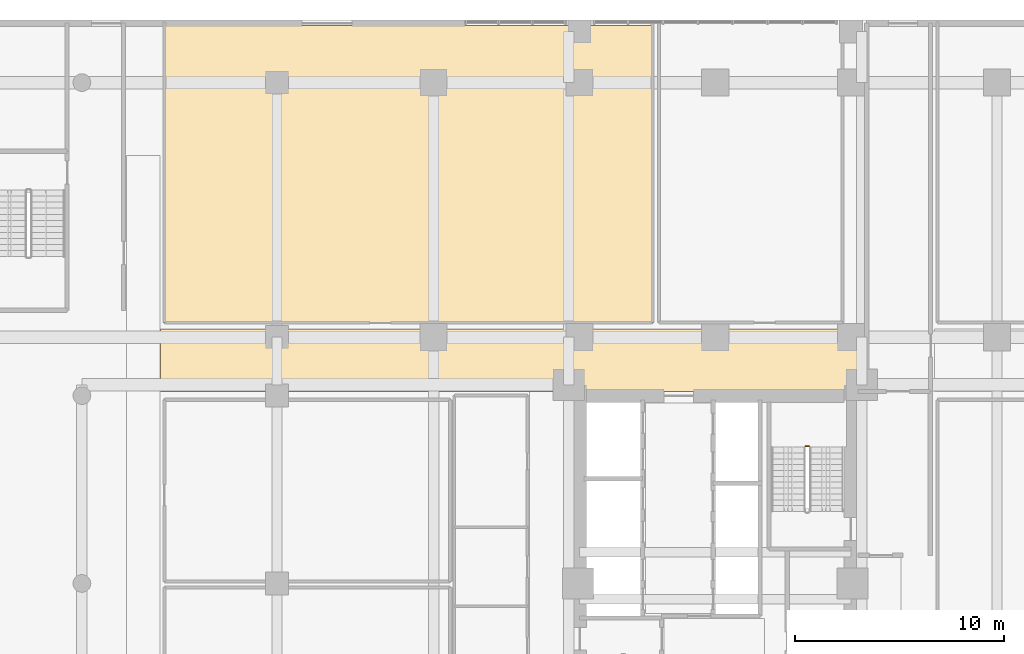
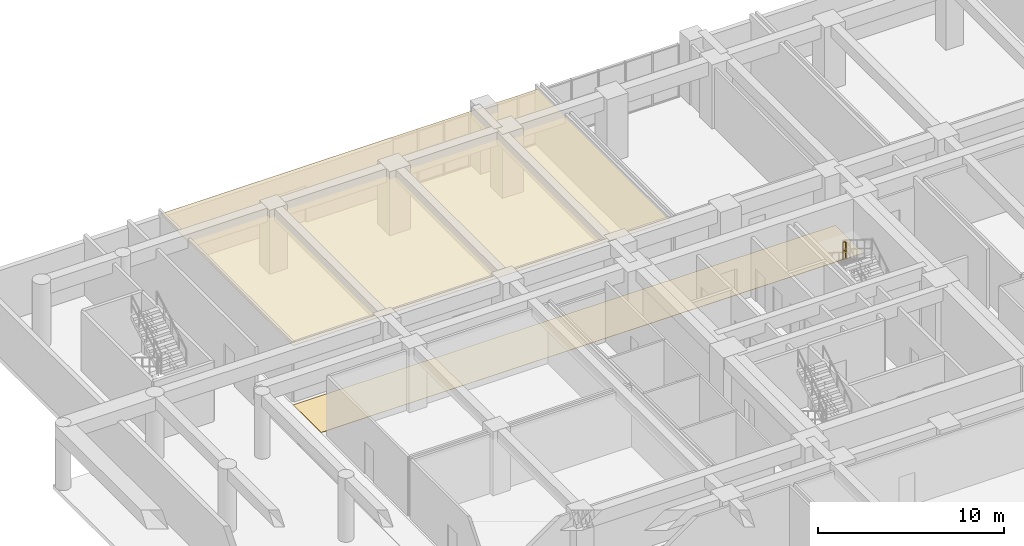
# One storey, part 23 of 24: 2 coverings, 1 railing.
"""IFC4 building model written with IfcOpenShell, lengths in metres."""

from ifc_helpers import new_model, si_unit, direction, frame, origin, origin_2d, place, context, subcontext, project, spatial, polyline, rectangle, outline, extrude, material, layer, layer_set, type_object, element, save


model = new_model("IFC4")

# Units and contexts
model_context = context("Model", 3, precision=1e-05, world=origin(), true_north=direction((0.0, 1.0)))
body_context = subcontext(model_context, "Body", "Model", "MODEL_VIEW")
ifc_project = project(units=[si_unit("LENGTHUNIT", "METRE"), si_unit("AREAUNIT", "SQUARE_METRE"), si_unit("VOLUMEUNIT", "CUBIC_METRE"), si_unit("PLANEANGLEUNIT", "RADIAN"), si_unit("MASSUNIT", "GRAM", prefix="KILO")], contexts=[model_context])

# Site, building, storey
site_placement = place(None, origin())
site = spatial("IfcSite", under=ifc_project, at=site_placement, CompositionType="ELEMENT")
building_placement = place(site_placement, origin())
building = spatial("IfcBuilding", under=site, at=building_placement, Name="Saelheon Loggia Tower", CompositionType="ELEMENT")
storey_placement = place(building_placement, origin())
storey = spatial("IfcBuildingStorey", under=building, at=storey_placement, Name="L00", CompositionType="ELEMENT", Elevation=0.0)

# Coverings
ifc_material_1 = material(Name="Mineral-Fibre Acoustic Ceiling Board", Category="gypsum")
ifc_layer_1 = layer(ifc_material_1, 0.02490234375)
ifc_layer_set_1 = layer_set([ifc_layer_1], Name="Mineral-Fibre Acoustic Ceiling Board")
covering_type_1 = type_object("IfcCoveringType", Name="Cov_Ceiling_Acoustic", PredefinedType="CEILING", material=ifc_layer_set_1)
covering_1_placement = place(storey_placement, frame((0.0, 0.0, 3.6650390625)))
element("IfcCovering", 1, at=covering_1_placement, inside=storey, type_object=covering_type_1, Name="L00 Acoustic Suspended Ceiling", PredefinedType="CEILING", context=body_context, shape_type="SweptSolid", body=[
    extrude(outline(polyline([(11.570068359375, 39.469970703125), (35.030029296875, 39.469970703125), (35.030029296875, 53.72998046875), (11.570068359375, 53.72998046875), (11.570068359375, 39.469970703125)])), origin(), (0.0, 0.0, 1.0), 0.02490234375),
])
ifc_material_2 = material(Name="Vitrified Porcelain Floor Tile", Category="ceramic")
ifc_layer_2 = layer(ifc_material_2, 0.02001953125)
ifc_layer_set_2 = layer_set([ifc_layer_2], Name="Vitrified Porcelain Floor Tile")
covering_type_2 = type_object("IfcCoveringType", Name="Cov_Floor_Porcelain", PredefinedType="FLOORING", material=ifc_layer_set_2)
covering_2_placement = place(storey_placement, origin())
element("IfcCovering", 2, at=covering_2_placement, inside=storey, type_object=covering_type_2, Name="L00 Corridor Porcelain Flooring", PredefinedType="FLOORING", context=body_context, shape_type="SweptSolid", body=[
    extrude(outline(polyline([(11.419921875, 36.199951171875), (45.10009765625, 36.199951171875), (45.10009765625, 39.199951171875), (11.419921875, 39.199951171875), (11.419921875, 36.199951171875)])), origin(), (0.0, 0.0, 1.0), 0.02001953125),
])

# Railing
ifc_material_3 = material(Name="Galvanised Steel S275 Stairwell Guardrail", Category="steel")
railing_type = type_object("IfcRailingType", Name="Guard_StairWell_RL_STG", PredefinedType="GUARDRAIL", material=ifc_material_3)
railing_placement = place(storey_placement, frame((42.489990234375, 33.580078125, 2.10009765625)))
element("IfcRailing", 3, at=railing_placement, inside=storey, type_object=railing_type, Name="L00 ST2 stair guard 2", PredefinedType="GUARDRAIL", context=body_context, shape_type="SweptSolid", body=[
    extrude(rectangle(XDim=0.048095703125, YDim=0.048095703125, at=origin_2d()), frame((-0.033203125, 0.0, 1.17578125), z_axis=(-1.0, 0.0, 0.0), x_axis=(0.0, -1.0, 0.0)), (0.0, 0.0, 1.0), 0.093505859375),
    extrude(rectangle(XDim=0.048095703125, YDim=0.048095703125, at=origin_2d()), frame((-0.033203125, 0.0, 0.60009765625), z_axis=(-1.0, 0.0, 0.0), x_axis=(0.0, -1.0, 0.0)), (0.0, 0.0, 1.0), 0.093505859375),
    extrude(rectangle(XDim=0.0419921875, YDim=0.0419921875, at=origin_2d()), origin(), (0.0, 0.0, 1.0), 1.14794921875),
    extrude(rectangle(XDim=0.0419921875, YDim=0.0419921875, at=origin_2d()), frame((-0.159912109375, 0.0, 0.0)), (0.0, 0.0, 1.0), 1.14794921875),
])

save(model, "model.ifc")
